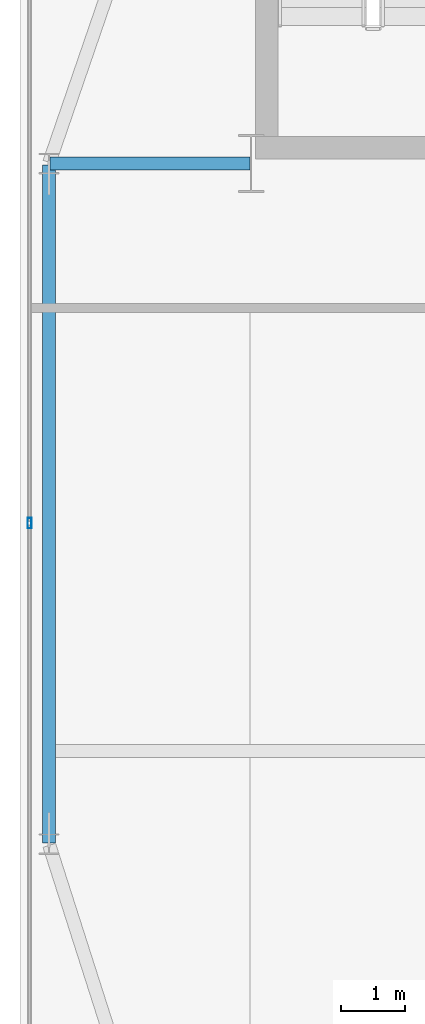
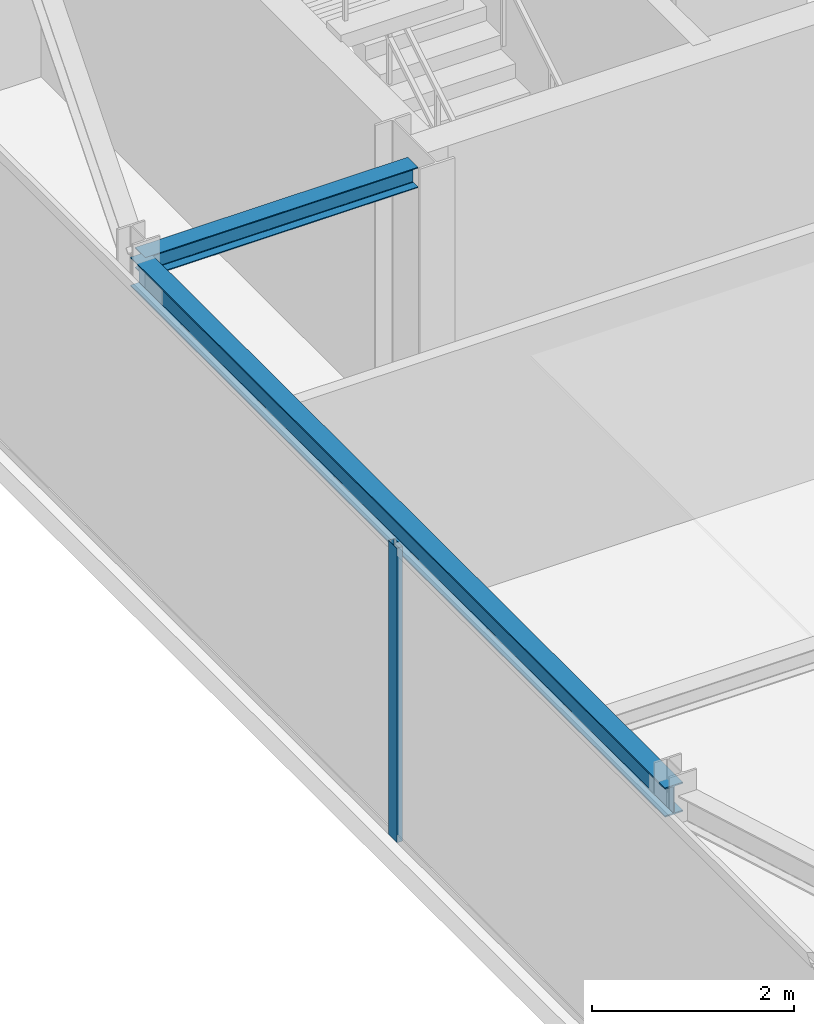
# One storey, part 10 of 24: 2 beams, 1 member, 1 element without a shape of its own.
"""IFC4 building model written with IfcOpenShell, lengths in metres."""

import ifcopenshell
import ifcopenshell.guid

model = None  # the IFC model being written
_history = None  # IfcOwnerHistory: only IFC2X3 demands one
_inside = {}  # id of a spatial element -> (the spatial element, [elements in it])
_under = {}  # id of a project, library or spatial element -> (it, [spatial elements below it])
_declared = {}  # id of a project -> (the project, [libraries it declares])
_typed = {}  # id of a type object -> (the type object, [elements of that type])
_made_of = {}  # id of a material, layer set ... -> (it, [elements and type objects made of it])


def new_model(schema):
    """Start an empty IFC model of exactly this schema.

    Asked for "IFC4X3", IfcOpenShell would pick the latest addendum, in which some entities
    have other attributes; the version numbers below select the first issue.
    IFC2X3 requires an IfcOwnerHistory on every rooted entity: one is made here for all.
    """
    global model, _history
    if schema == "IFC4X3":
        model = ifcopenshell.file(schema_version=(4, 3, 0, 0))
    else:
        model = ifcopenshell.file(schema=schema)
    _inside.clear()
    _under.clear()
    _declared.clear()
    _typed.clear()
    _made_of.clear()
    _history = None
    if model.schema == "IFC2X3":
        org = make("IfcOrganization", Name="unknown")
        user = make(
            "IfcPersonAndOrganization",
            ThePerson=make("IfcPerson", FamilyName="unknown"),
            TheOrganization=org,
        )
        app = make(
            "IfcApplication",
            ApplicationDeveloper=org,
            Version="unknown",
            ApplicationFullName="unknown",
            ApplicationIdentifier="unknown",
        )
        _history = make(
            "IfcOwnerHistory",
            OwningUser=user,
            OwningApplication=app,
            ChangeAction="ADDED",
            CreationDate=0,
        )
    return model


def make(cls, **values):
    """One entity of the class cls with the attributes given. An attribute that is None is left unset."""
    return model.create_entity(
        cls, **{name: value for name, value in values.items() if value is not None}
    )


def rooted(cls, **values):
    """An entity with a GlobalId (a new one), such as an element, a storey or a relation."""
    return make(cls, GlobalId=ifcopenshell.guid.new(), OwnerHistory=_history, **values)


def si_unit(unit_type, name, prefix=None):
    """IfcSIUnit, for example si_unit("LENGTHUNIT", "METRE", prefix="MILLI")."""
    return make("IfcSIUnit", UnitType=unit_type, Prefix=prefix, Name=name)


def assignment(units):
    """IfcUnitAssignment: the units of a project."""
    return None if units is None else make("IfcUnitAssignment", Units=units)


def point(xyz):
    """IfcCartesianPoint."""
    return None if xyz is None else make("IfcCartesianPoint", Coordinates=xyz)


def direction(xyz):
    """IfcDirection."""
    return None if xyz is None else make("IfcDirection", DirectionRatios=xyz)


def frame(location, z_axis=None, x_axis=None):
    """IfcAxis2Placement3D, a coordinate frame: its origin and axes. An axis left out is left unset."""
    return make(
        "IfcAxis2Placement3D",
        Location=point(location),
        Axis=direction(z_axis),
        RefDirection=direction(x_axis),
    )


def frame_2d(location, x_axis=None):
    """IfcAxis2Placement2D, a coordinate frame in the plane: its origin and x axis."""
    return make(
        "IfcAxis2Placement2D", Location=point(location), RefDirection=direction(x_axis)
    )


def origin():
    """The frame at (0, 0, 0) with its axes left unset."""
    return frame((0.0, 0.0, 0.0))


def origin_2d():
    """The frame at (0, 0) in the plane with its x axis left unset."""
    return frame_2d((0.0, 0.0))


def place(relative_to, where):
    """IfcLocalPlacement: puts the frame where relative to a parent placement (None: the world)."""
    return make(
        "IfcLocalPlacement", PlacementRelTo=relative_to, RelativePlacement=where
    )


def context(
    kind, dimensions, precision=None, world=None, true_north=None, identifier=None
):
    """IfcGeometricRepresentationContext, for example the 3D "Model" context."""
    return make(
        "IfcGeometricRepresentationContext",
        ContextIdentifier=identifier,
        ContextType=kind,
        CoordinateSpaceDimension=dimensions,
        Precision=precision,
        WorldCoordinateSystem=world,
        TrueNorth=true_north,
    )


def subcontext(parent, identifier, kind, view, scale=None):
    """IfcGeometricRepresentationSubContext, for example "Body" below "Model"."""
    return make(
        "IfcGeometricRepresentationSubContext",
        ContextIdentifier=identifier,
        ContextType=kind,
        ParentContext=parent,
        TargetScale=scale,
        TargetView=view,
    )


def project(units=None, contexts=None):
    """IfcProject with its units and contexts."""
    return rooted(
        "IfcProject",
        Name="project",
        RepresentationContexts=contexts,
        UnitsInContext=assignment(units),
    )


def spatial(cls, under=None, at=None, **own):
    """A site, building, storey or space (cls), placed at a placement, below another one or the project."""
    s = rooted(cls, ObjectPlacement=at, **own)
    if under is not None:
        _under.setdefault(under.id(), (under, []))[1].append(s)
    return s


def profile(cls, at=None, kind="AREA", **sizes):
    """A parametric profile (cls). Its sizes go by their IFC names, for example OverallWidth=200.0."""
    return make(cls, ProfileType=kind, Position=at, **sizes)


def hollow_rectangle(**sizes):
    """IfcRectangleHollowProfileDef."""
    return profile("IfcRectangleHollowProfileDef", **sizes)


def i_section(**sizes):
    """IfcIShapeProfileDef."""
    return profile("IfcIShapeProfileDef", **sizes)


def extrude(swept, where, along, depth):
    """IfcExtrudedAreaSolid: the profile swept, set in the frame where, extruded along a direction by depth."""
    return make(
        "IfcExtrudedAreaSolid",
        SweptArea=swept,
        Position=where,
        ExtrudedDirection=direction(along),
        Depth=depth,
    )


def shape(context_of_items, identifier, shape_type, items):
    """IfcShapeRepresentation: the items that make up one representation, for example the "Body"."""
    return make(
        "IfcShapeRepresentation",
        ContextOfItems=context_of_items,
        RepresentationIdentifier=identifier,
        RepresentationType=shape_type,
        Items=items,
    )


def source(mapping_origin, context_of_items, identifier, shape_type, items):
    """IfcRepresentationMap: a shape defined once, which mapped items show again and again."""
    return make(
        "IfcRepresentationMap",
        MappingOrigin=mapping_origin,
        MappedRepresentation=shape(context_of_items, identifier, shape_type, items),
    )


def transform(
    local_origin,
    x_axis=None,
    y_axis=None,
    z_axis=None,
    scale=None,
    scale2=None,
    scale3=None,
    uniform=True,
):
    """IfcCartesianTransformationOperator3D, or its non-uniform kind. x_axis, y_axis, z_axis: its Axis1, 2, 3."""
    if uniform:
        return make(
            "IfcCartesianTransformationOperator3D",
            Axis1=direction(x_axis),
            Axis2=direction(y_axis),
            LocalOrigin=point(local_origin),
            Scale=scale,
            Axis3=direction(z_axis),
        )
    return make(
        "IfcCartesianTransformationOperator3DnonUniform",
        Axis1=direction(x_axis),
        Axis2=direction(y_axis),
        LocalOrigin=point(local_origin),
        Scale=scale,
        Axis3=direction(z_axis),
        Scale2=scale2,
        Scale3=scale3,
    )


def mapped(mapping_source, mapping_target):
    """IfcMappedItem: shows the shape of a source again, moved by a transform."""
    return make(
        "IfcMappedItem", MappingSource=mapping_source, MappingTarget=mapping_target
    )


def material(Name=None, Category=None):
    """IfcMaterial."""
    return make("IfcMaterial", Name=Name, Category=Category)


def layer(
    of_material, thickness, ventilated=None, Name=None, Category=None, Priority=None
):
    """IfcMaterialLayer: one layer of a wall or slab, of a material (None: an air gap)."""
    return make(
        "IfcMaterialLayer",
        Material=of_material,
        LayerThickness=thickness,
        IsVentilated=ventilated,
        Name=Name,
        Category=Category,
        Priority=Priority,
    )


def layer_set(layers, Name=None):
    """IfcMaterialLayerSet."""
    return make("IfcMaterialLayerSet", MaterialLayers=layers, LayerSetName=Name)


def material_profile(
    of_material, cross_section, Name=None, Category=None, Priority=None
):
    """IfcMaterialProfile: a cross section and its material."""
    return make(
        "IfcMaterialProfile",
        Name=Name,
        Material=of_material,
        Profile=cross_section,
        Priority=Priority,
        Category=Category,
    )


def profile_set(profiles, Name=None, composite=None):
    """IfcMaterialProfileSet."""
    return make(
        "IfcMaterialProfileSet",
        Name=Name,
        MaterialProfiles=profiles,
        CompositeProfile=composite,
    )


def made_of(thing, what):
    """Note that an element or type object is made of a material, layer set ...; save() writes the relation."""
    if what is not None:
        _made_of.setdefault(what.id(), (what, []))[1].append(thing)
    return thing


def type_object(cls, material=None, **own):
    """A type object (cls), such as IfcWallType, which elements share."""
    return made_of(rooted(cls, **own), material)


def type_shapes(of_type, sources):
    """Give a type object the sources (RepresentationMaps) that its elements show as mapped items."""
    of_type.RepresentationMaps = sources


def element(
    cls,
    number,
    at=None,
    inside=None,
    cuts=None,
    type_object=None,
    material=None,
    context=None,
    identifier="Body",
    shape_type=None,
    held_by="IfcProductDefinitionShape",
    body=None,
    shapes=None,
    **own,
):
    """One element of the class cls, such as IfcWall. Its Tag is "e" and its number.

    at: its placement. inside: the storey or other place that contains it. cuts: it is an
    opening in that element (IfcRelVoidsElement). A single representation is given by context,
    identifier, shape_type and body (its items); several are given by shapes. held_by: the class
    of the entity that holds the representations. save() writes the other relations.
    """
    e = rooted(cls, Tag="e%d" % number, ObjectPlacement=at, **own)
    if body is not None:
        shapes = [shape(context, identifier, shape_type, body)]
    if shapes is not None:
        e.Representation = make(held_by, Representations=shapes)
    if inside is not None:
        _inside.setdefault(inside.id(), (inside, []))[1].append(e)
    if cuts is not None:
        rooted(
            "IfcRelVoidsElement", RelatingBuildingElement=cuts, RelatedOpeningElement=e
        )
    if type_object is not None:
        _typed.setdefault(type_object.id(), (type_object, []))[1].append(e)
    return made_of(e, material)


def aggregate(whole, parts):
    """IfcRelAggregates: a whole, such as a stair, and the parts it consists of."""
    return rooted("IfcRelAggregates", RelatingObject=whole, RelatedObjects=parts)


def save(model, path):
    """Write the relations noted so far, then the file.

    IfcRelAggregates (storeys below a building ...), IfcRelContainedInSpatialStructure (elements
    in a storey), IfcRelDefinesByType, IfcRelAssociatesMaterial and IfcRelDeclares: one each for
    every whole, place, type object, material and project.
    """
    for whole, parts in _under.values():
        aggregate(whole, parts)
    for where, things in _inside.values():
        rooted(
            "IfcRelContainedInSpatialStructure",
            RelatedElements=things,
            RelatingStructure=where,
        )
    for kind, things in _typed.values():
        rooted("IfcRelDefinesByType", RelatedObjects=things, RelatingType=kind)
    for what, things in _made_of.values():
        rooted("IfcRelAssociatesMaterial", RelatedObjects=things, RelatingMaterial=what)
    for by, libraries in _declared.values():
        rooted("IfcRelDeclares", RelatingContext=by, RelatedDefinitions=libraries)
    model.write(path)


model = new_model("IFC4")

# Units and contexts
model_context = context("Model", 3, precision=1e-05, world=origin(), true_north=direction((0.0, 1.0)))
body_context = subcontext(model_context, "Body", "Model", "MODEL_VIEW")
ifc_project = project(units=[si_unit("LENGTHUNIT", "METRE"), si_unit("AREAUNIT", "SQUARE_METRE"), si_unit("VOLUMEUNIT", "CUBIC_METRE"), si_unit("PLANEANGLEUNIT", "RADIAN"), si_unit("MASSUNIT", "GRAM", prefix="KILO")], contexts=[model_context])

# Site, building, storey
site_placement = place(None, origin())
site = spatial("IfcSite", under=ifc_project, at=site_placement, CompositionType="ELEMENT")
building_placement = place(site_placement, origin())
building = spatial("IfcBuilding", under=site, at=building_placement, Name="Varnel Quay Broadcast Tower", CompositionType="ELEMENT")
storey_placement = place(building_placement, frame((0.0, 0.0, 269.800048828125)))
storey = spatial("IfcBuildingStorey", under=building, at=storey_placement, Name="L67", CompositionType="ELEMENT", Elevation=269.800048828125)

# Beams
ifc_material_1 = material(Name="Structural Steel CSA G40.21 350W", Category="steel")
ifc_material_profile_1 = material_profile(ifc_material_1, i_section(OverallWidth=0.205078125, OverallDepth=0.35400390625, WebThickness=0.009521484375, FlangeThickness=0.016845703125, FilletRadius=0.012939453125, at=origin_2d()), Name="W360X79")
ifc_profile_set_1 = profile_set([ifc_material_profile_1], Name="Structural Steel CSA G40.21 350W")
beam_type_1 = type_object("IfcBeamType", Name="Beam_W360X79", PredefinedType="SPANDREL", material=ifc_profile_set_1)
shared_shape_1 = source(origin(), body_context, "Body", "SweptSolid", [
    extrude(i_section(OverallWidth=0.205078125, OverallDepth=0.35400390625, WebThickness=0.009521484375, FlangeThickness=0.016845703125, FilletRadius=0.012939453125, at=origin_2d()), origin(), (0.0, 0.0, 1.0), 10.56005859375),
])
type_shapes(beam_type_1, [shared_shape_1])
beam_1_placement = place(storey_placement, frame((12.449951171875, 25.02001953125, 3.373046875), z_axis=(0.0, 1.0, 0.0), x_axis=(-1.0, 0.0, 0.0)))
element("IfcBeam", 1, at=beam_1_placement, inside=storey, type_object=beam_type_1, Name="L67 West Spandrel TC-W1-TC-W2", PredefinedType="SPANDREL", context=body_context, shape_type="MappedRepresentation", body=[
    mapped(shared_shape_1, transform((0.0, 0.0, 0.0), x_axis=(1.0, 0.0, 0.0), y_axis=(0.0, 1.0, 0.0), z_axis=(0.0, 0.0, 1.0), scale=1.0)),
])
ifc_material_profile_2 = material_profile(ifc_material_1, i_section(OverallWidth=0.201904296875, OverallDepth=0.2470703125, WebThickness=0.00732421875, FlangeThickness=0.010986328125, FilletRadius=0.010986328125, at=origin_2d()), Name="W250X49")
ifc_profile_set_2 = profile_set([ifc_material_profile_2], Name="Structural Steel CSA G40.21 350W")
beam_type_2 = type_object("IfcBeamType", Name="Beam_W250X49", PredefinedType="JOIST", material=ifc_profile_set_2)
shared_shape_2 = source(origin(), body_context, "Body", "SweptSolid", [
    extrude(i_section(OverallWidth=0.201904296875, OverallDepth=0.2470703125, WebThickness=0.00732421875, FlangeThickness=0.010986328125, FilletRadius=0.010986328125, at=origin_2d()), origin(), (0.0, 0.0, 1.0), 3.110107421875),
])
type_shapes(beam_type_2, [shared_shape_2])
beam_2_placement = place(storey_placement, frame((12.469970703125, 35.60009765625, 3.426513671875), z_axis=(1.0, 0.0, 0.0), x_axis=(0.0, 1.0, 0.0)))
element("IfcBeam", 2, at=beam_2_placement, inside=storey, type_object=beam_type_2, Name="L67 West Core Tie Joist", PredefinedType="JOIST", context=body_context, shape_type="MappedRepresentation", body=[
    mapped(shared_shape_2, transform((0.0, 0.0, 0.0), x_axis=(1.0, 0.0, 0.0), y_axis=(0.0, 1.0, 0.0), z_axis=(0.0, 0.0, 1.0), scale=1.0)),
])

# Curtain wall, member
ifc_material_2 = material(Name="Anodised Bronze Aluminium 6063-T6", Category="aluminium")
ifc_layer = layer(ifc_material_2, 0.18994140625, Name="Anodised Bronze Aluminium 6063-T6")
ifc_layer_set = layer_set([ifc_layer], Name="Anodised Bronze Aluminium 6063-T6")
curtain_wall_type = type_object("IfcCurtainWallType", Name="CW_UpperTower", PredefinedType="NOTDEFINED", material=ifc_layer_set)
curtain_wall_placement = place(storey_placement, origin())
curtain_wall = element("IfcCurtainWall", 3, at=curtain_wall_placement, inside=storey, type_object=curtain_wall_type, Name="L67 West Unitised Curtain Wall", PredefinedType="NOTDEFINED")
ifc_material_profile_3 = material_profile(ifc_material_2, hollow_rectangle(XDim=0.06494140625, YDim=0.1650390625, WallThickness=0.00341796875, at=origin_2d()), Name="ALU65X165X3.5")
ifc_profile_set_3 = profile_set([ifc_material_profile_3], Name="Anodised Bronze Aluminium 6063-T6")
member_type = type_object("IfcMemberType", Name="Mull_CWS-03", PredefinedType="MULLION", material=ifc_profile_set_3)
shared_shape_3 = source(origin(), body_context, "Body", "SweptSolid", [
    extrude(hollow_rectangle(XDim=0.06494140625, YDim=0.1650390625, WallThickness=0.00341796875, at=origin_2d()), origin(), (0.0, 0.0, 1.0), 3.550048828125),
])
type_shapes(member_type, [shared_shape_3])
member_placement = place(storey_placement, frame((12.14990234375, 30.0, 0.0), z_axis=(0.0, 0.0, 1.0), x_axis=(-1.0, 0.0, 0.0)))
member = element("IfcMember", 4, at=member_placement, type_object=member_type, Name="CWS-03 mullion 2", PredefinedType="MULLION", context=body_context, shape_type="MappedRepresentation", body=[
    mapped(shared_shape_3, transform((0.0, 0.0, 0.0), x_axis=(1.0, 0.0, 0.0), y_axis=(0.0, 1.0, 0.0), z_axis=(0.0, 0.0, 1.0), scale=1.0)),
])
aggregate(curtain_wall, [member])

save(model, "model.ifc")
